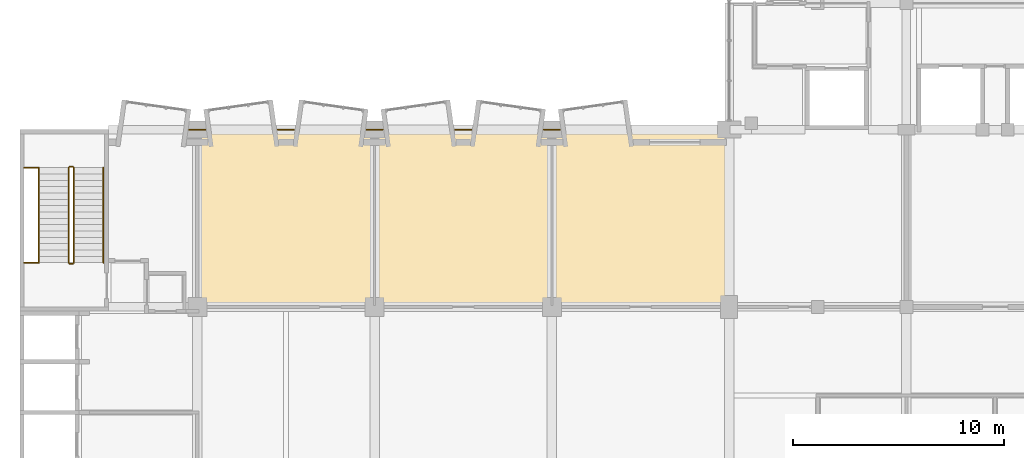
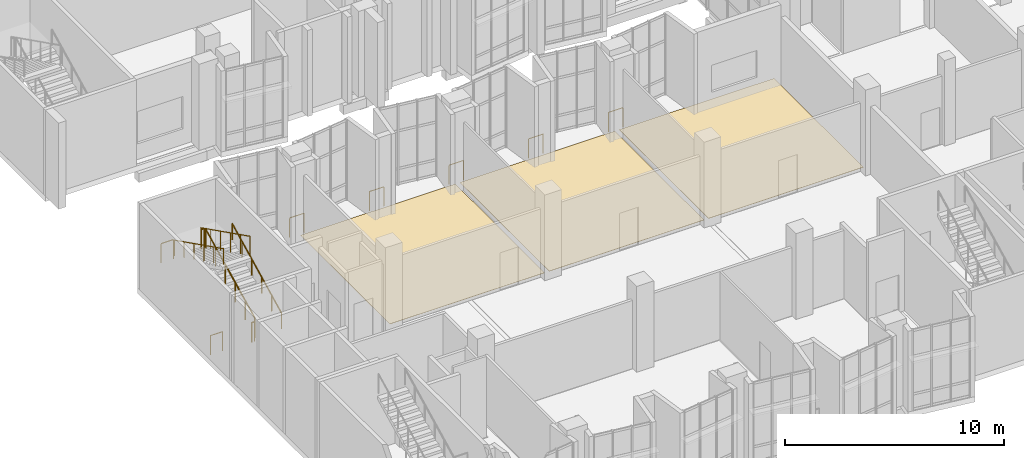
# One storey, part 68 of 91: 13 railings, 3 coverings.
"""IFC4 building model written with IfcOpenShell, lengths in metres."""

from ifc_helpers import new_model, si_unit, direction, frame, origin, origin_2d, place, context, subcontext, project, spatial, polyline, circle, outline, extrude, material, layer, layer_set, type_object, element, save


model = new_model("IFC4")

# Units and contexts
model_context = context("Model", 3, precision=1e-05, world=origin(), true_north=direction((0.0, 1.0)))
body_context = subcontext(model_context, "Body", "Model", "MODEL_VIEW")
ifc_project = project(units=[si_unit("LENGTHUNIT", "METRE"), si_unit("AREAUNIT", "SQUARE_METRE"), si_unit("VOLUMEUNIT", "CUBIC_METRE"), si_unit("PLANEANGLEUNIT", "RADIAN"), si_unit("MASSUNIT", "GRAM", prefix="KILO")], contexts=[model_context])

# Site, building, storey
site_placement = place(None, origin())
site = spatial("IfcSite", under=ifc_project, at=site_placement, CompositionType="ELEMENT")
building_placement = place(site_placement, origin())
building = spatial("IfcBuilding", under=site, at=building_placement, Name="Kiln Court Media Centre", CompositionType="ELEMENT")
storey_placement = place(building_placement, frame((0.0, 0.0, 5.39990234375)))
storey = spatial("IfcBuildingStorey", under=building, at=storey_placement, Name="L01", CompositionType="ELEMENT", Elevation=5.39990234375)

# Coverings
ifc_material_1 = material(Name="Carpet tile")
ifc_layer = layer(ifc_material_1, 0.014892578125)
ifc_layer_set = layer_set([ifc_layer], Name="Carpet tile floor finish 15")
covering_type = type_object("IfcCoveringType", Name="Carpet tile floor finish 15", PredefinedType="FLOORING", material=ifc_layer_set)
covering_1_placement = place(storey_placement, origin())
element("IfcCovering", 1, at=covering_1_placement, inside=storey, type_object=covering_type, Name="Children's Media Library floor finish", PredefinedType="FLOORING", context=body_context, shape_type="SweptSolid", body=[
    extrude(outline(polyline([(8.52001953125, 16.919921875), (16.679931640625, 16.919921875), (16.679931640625, 25.080078125), (8.52001953125, 25.080078125), (8.52001953125, 16.919921875)])), origin(), (0.0, 0.0, 1.0), 0.01513671875),
])
covering_2_placement = place(storey_placement, origin())
element("IfcCovering", 2, at=covering_2_placement, inside=storey, type_object=covering_type, Name="Story Room floor finish", PredefinedType="FLOORING", context=body_context, shape_type="SweptSolid", body=[
    extrude(outline(polyline([(16.919921875, 16.919921875), (25.080078125, 16.919921875), (25.080078125, 25.080078125), (16.919921875, 25.080078125), (16.919921875, 16.919921875)])), origin(), (0.0, 0.0, 1.0), 0.01513671875),
])
covering_3_placement = place(storey_placement, origin())
element("IfcCovering", 3, at=covering_3_placement, inside=storey, type_object=covering_type, Name="Family Reading Room floor finish", PredefinedType="FLOORING", context=body_context, shape_type="SweptSolid", body=[
    extrude(outline(polyline([(25.320068359375, 16.919921875), (33.47998046875, 16.919921875), (33.47998046875, 25.080078125), (25.320068359375, 25.080078125), (25.320068359375, 16.919921875)])), origin(), (0.0, 0.0, 1.0), 0.01513671875),
])

# Railings
ifc_material_2 = material(Name="Steel S275", Category="steel")
railing_type_1 = type_object("IfcRailingType", Name="Steel S275 balustrade guard 1100", PredefinedType="GUARDRAIL", material=ifc_material_2)
for number, where, name in (
    (4, (8.017578125, 25.199951171875, 0.0), "L01 slab notch guard"),
    (5, (12.2177734375, 25.199951171875, 0.0), "L01 slab notch guard"),
    (6, (16.417724609375, 25.199951171875, 0.0), "L01 slab notch guard"),
    (7, (20.61767578125, 25.199951171875, 0.0), "L01 slab notch guard"),
    (8, (24.817626953125, 25.199951171875, 0.0), "L01 slab notch guard"),
):
    element("IfcRailing", number, at=place(storey_placement, frame(where)), inside=storey, type_object=railing_type_1, Name=name, PredefinedType="GUARDRAIL", context=body_context, shape_type="SweptSolid", body=[
        extrude(circle(Radius=0.02392578125, at=origin_2d()), frame((0.0, 0.0, 1.076171875), z_axis=(1.0, 0.0, 0.0), x_axis=(0.0, 1.0, 0.0)), (0.0, 0.0, 1.0), 0.7646484375),
        extrude(circle(Radius=0.02099609375, at=origin_2d()), origin(), (0.0, 0.0, 1.0), 1.052001953125),
        extrude(circle(Radius=0.02099609375, at=origin_2d()), frame((0.7646484375, 0.0, 0.0)), (0.0, 0.0, 1.0), 1.052001953125),
    ])
ifc_material_3 = material(Name="Steel S275", Category="steel")
railing_type_2 = type_object("IfcRailingType", Name="Steel S275 stair guard 1100", PredefinedType="GUARDRAIL", material=ifc_material_3)
railing_1_placement = place(storey_placement, frame((2.550048828125, 18.89990234375, 0.150146484375)))
element("IfcRailing", 9, at=railing_1_placement, inside=storey, type_object=railing_type_2, Name="ST-02 stair guard", PredefinedType="GUARDRAIL", context=body_context, shape_type="SweptSolid", body=[
    extrude(circle(Radius=0.02392578125, at=origin_2d()), frame((0.0, 0.0, 1.076171875), z_axis=(0.0, 0.894427191, 0.4472135955), x_axis=(-1.0, 0.0, 0.0)), (0.0, 0.0, 1.0), 5.03125),
    extrude(circle(Radius=0.02099609375, at=origin_2d()), origin(), (0.0, 0.0, 1.0), 1.052001953125),
    extrude(circle(Radius=0.02099609375, at=origin_2d()), frame((0.0, 0.89990234375, 0.449951171875)), (0.0, 0.0, 1.0), 1.052001953125),
    extrude(circle(Radius=0.02099609375, at=origin_2d()), frame((0.0, 1.800048828125, 0.89990234375)), (0.0, 0.0, 1.0), 1.052001953125),
    extrude(circle(Radius=0.02099609375, at=origin_2d()), frame((0.0, 2.699951171875, 1.35009765625)), (0.0, 0.0, 1.0), 1.052001953125),
    extrude(circle(Radius=0.02099609375, at=origin_2d()), frame((0.0, 3.60009765625, 1.800048828125)), (0.0, 0.0, 1.0), 1.052001953125),
    extrude(circle(Radius=0.02099609375, at=origin_2d()), frame((0.0, 4.5, 2.25)), (0.0, 0.0, 1.0), 1.052001953125),
])
railing_2_placement = place(storey_placement, frame((2.5, 23.449951171875, 2.400146484375)))
element("IfcRailing", 10, at=railing_2_placement, inside=storey, type_object=railing_type_2, Name="ST-02 stair guard", PredefinedType="GUARDRAIL", context=body_context, shape_type="SweptSolid", body=[
    extrude(circle(Radius=0.02392578125, at=origin_2d()), frame((0.0, 0.0, 1.076171875), z_axis=(-1.0, 0.0, 0.0), x_axis=(0.0, -1.0, 0.0)), (0.0, 0.0, 1.0), 0.14990234375),
    extrude(circle(Radius=0.02099609375, at=origin_2d()), origin(), (0.0, 0.0, 1.0), 1.052001953125),
    extrude(circle(Radius=0.02099609375, at=origin_2d()), frame((-0.14990234375, 0.0, 0.0)), (0.0, 0.0, 1.0), 1.052001953125),
])
railing_3_placement = place(storey_placement, frame((2.300048828125, 23.39990234375, 2.550048828125)))
element("IfcRailing", 11, at=railing_3_placement, inside=storey, type_object=railing_type_2, Name="ST-02 stair guard", PredefinedType="GUARDRAIL", context=body_context, shape_type="SweptSolid", body=[
    extrude(circle(Radius=0.02392578125, at=origin_2d()), frame((0.0, 0.0, 1.076171875), z_axis=(0.0, -0.894427191, 0.4472135955), x_axis=(1.0, 0.0, 0.0)), (0.0, 0.0, 1.0), 5.03125),
    extrude(circle(Radius=0.02099609375, at=origin_2d()), origin(), (0.0, 0.0, 1.0), 1.052001953125),
    extrude(circle(Radius=0.02099609375, at=origin_2d()), frame((0.0, -0.89990234375, 0.449951171875)), (0.0, 0.0, 1.0), 1.052001953125),
    extrude(circle(Radius=0.02099609375, at=origin_2d()), frame((0.0, -1.800048828125, 0.89990234375)), (0.0, 0.0, 1.0), 1.052001953125),
    extrude(circle(Radius=0.02099609375, at=origin_2d()), frame((0.0, -2.699951171875, 1.35009765625)), (0.0, 0.0, 1.0), 1.052001953125),
    extrude(circle(Radius=0.02099609375, at=origin_2d()), frame((0.0, -3.60009765625, 1.800048828125)), (0.0, 0.0, 1.0), 1.052001953125),
    extrude(circle(Radius=0.02099609375, at=origin_2d()), frame((0.0, -4.5, 2.25)), (0.0, 0.0, 1.0), 1.052001953125),
])
railing_4_placement = place(storey_placement, frame((2.5, 18.85009765625, 0.0)))
element("IfcRailing", 12, at=railing_4_placement, inside=storey, type_object=railing_type_2, Name="ST-02 stair guard", PredefinedType="GUARDRAIL", context=body_context, shape_type="SweptSolid", body=[
    extrude(circle(Radius=0.02392578125, at=origin_2d()), frame((0.0, 0.0, 1.076171875), z_axis=(-1.0, 0.0, 0.0), x_axis=(0.0, -1.0, 0.0)), (0.0, 0.0, 1.0), 0.14990234375),
    extrude(circle(Radius=0.02099609375, at=origin_2d()), origin(), (0.0, 0.0, 1.0), 1.052001953125),
    extrude(circle(Radius=0.02099609375, at=origin_2d()), frame((-0.14990234375, 0.0, 0.0)), (0.0, 0.0, 1.0), 1.052001953125),
])
for number, where, name in (
    (13, (0.85009765625, 23.39990234375, 2.400146484375), "ST-02 landing edge guard"),
    (14, (0.85009765625, 18.89990234375, 0.0), "ST-02 landing edge guard"),
):
    element("IfcRailing", number, at=place(storey_placement, frame(where)), inside=storey, type_object=railing_type_2, Name=name, PredefinedType="GUARDRAIL", context=body_context, shape_type="SweptSolid", body=[
        extrude(circle(Radius=0.02392578125, at=origin_2d()), frame((0.0, 0.0, 1.076171875), z_axis=(-1.0, 0.0, 0.0), x_axis=(0.0, -1.0, 0.0)), (0.0, 0.0, 1.0), 0.650146484375),
        extrude(circle(Radius=0.02099609375, at=origin_2d()), origin(), (0.0, 0.0, 1.0), 1.052001953125),
        extrude(circle(Radius=0.02099609375, at=origin_2d()), frame((-0.650146484375, 0.0, 0.0)), (0.0, 0.0, 1.0), 1.052001953125),
    ])
ifc_material_4 = material(Name="Steel S275", Category="steel")
railing_type_3 = type_object("IfcRailingType", Name="Steel S275 stair handrail 900", PredefinedType="HANDRAIL", material=ifc_material_4)
railing_5_placement = place(storey_placement, frame((3.949951171875, 18.89990234375, 0.150146484375)))
element("IfcRailing", 15, at=railing_5_placement, inside=storey, type_object=railing_type_3, Name="ST-02 stair handrail", PredefinedType="HANDRAIL", context=body_context, shape_type="SweptSolid", body=[
    extrude(circle(Radius=0.02392578125, at=origin_2d()), frame((0.0, 0.0, 0.8759765625), z_axis=(0.0, 0.894427191, 0.4472135955), x_axis=(-1.0, 0.0, 0.0)), (0.0, 0.0, 1.0), 5.03125),
    extrude(circle(Radius=0.02099609375, at=origin_2d()), origin(), (0.0, 0.0, 1.0), 0.851806640625),
    extrude(circle(Radius=0.02099609375, at=origin_2d()), frame((0.0, 0.89990234375, 0.449951171875)), (0.0, 0.0, 1.0), 0.851806640625),
    extrude(circle(Radius=0.02099609375, at=origin_2d()), frame((0.0, 1.800048828125, 0.89990234375)), (0.0, 0.0, 1.0), 0.851806640625),
    extrude(circle(Radius=0.02099609375, at=origin_2d()), frame((0.0, 2.699951171875, 1.35009765625)), (0.0, 0.0, 1.0), 0.851806640625),
    extrude(circle(Radius=0.02099609375, at=origin_2d()), frame((0.0, 3.60009765625, 1.800048828125)), (0.0, 0.0, 1.0), 0.851806640625),
    extrude(circle(Radius=0.02099609375, at=origin_2d()), frame((0.0, 4.5, 2.25)), (0.0, 0.0, 1.0), 0.851806640625),
])
railing_6_placement = place(storey_placement, frame((0.89990234375, 23.39990234375, 2.550048828125)))
element("IfcRailing", 16, at=railing_6_placement, inside=storey, type_object=railing_type_3, Name="ST-02 stair handrail", PredefinedType="HANDRAIL", context=body_context, shape_type="SweptSolid", body=[
    extrude(circle(Radius=0.02392578125, at=origin_2d()), frame((0.0, 0.0, 0.8759765625), z_axis=(0.0, -0.894427191, 0.4472135955), x_axis=(1.0, 0.0, 0.0)), (0.0, 0.0, 1.0), 5.03125),
    extrude(circle(Radius=0.02099609375, at=origin_2d()), origin(), (0.0, 0.0, 1.0), 0.851806640625),
    extrude(circle(Radius=0.02099609375, at=origin_2d()), frame((0.0, -0.89990234375, 0.449951171875)), (0.0, 0.0, 1.0), 0.851806640625),
    extrude(circle(Radius=0.02099609375, at=origin_2d()), frame((0.0, -1.800048828125, 0.89990234375)), (0.0, 0.0, 1.0), 0.851806640625),
    extrude(circle(Radius=0.02099609375, at=origin_2d()), frame((0.0, -2.699951171875, 1.35009765625)), (0.0, 0.0, 1.0), 0.851806640625),
    extrude(circle(Radius=0.02099609375, at=origin_2d()), frame((0.0, -3.60009765625, 1.800048828125)), (0.0, 0.0, 1.0), 0.851806640625),
    extrude(circle(Radius=0.02099609375, at=origin_2d()), frame((0.0, -4.5, 2.25)), (0.0, 0.0, 1.0), 0.851806640625),
])

save(model, "model.ifc")
